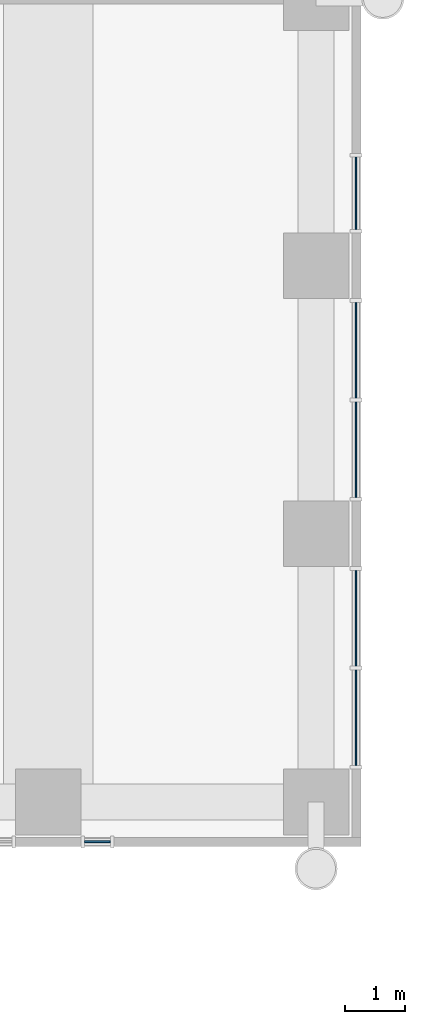
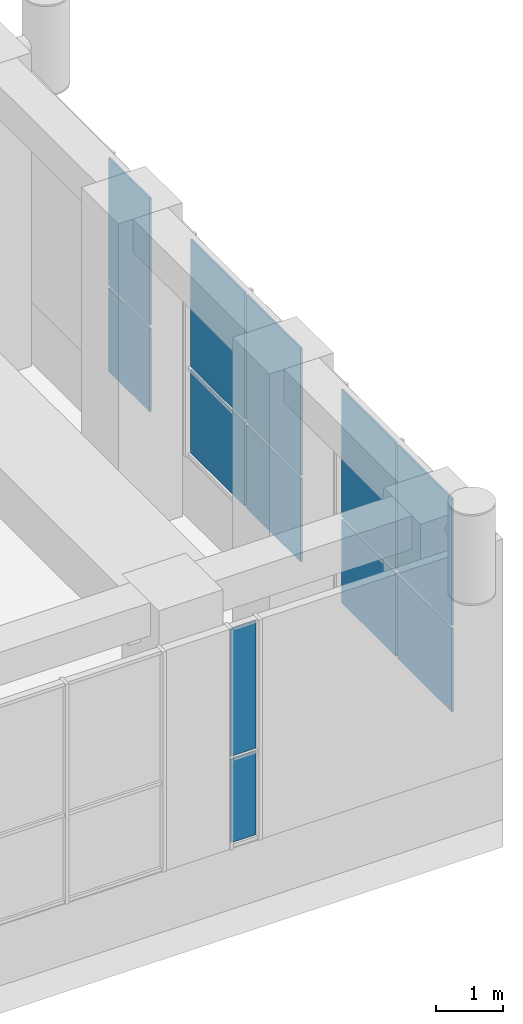
# One storey, part 12 of 22: 12 plates, 4 elements without a shape of their own.
"""IFC4 building model written with IfcOpenShell, lengths in metres."""

from ifc_helpers import new_model, si_unit, direction, frame, origin, origin_2d, place, context, subcontext, project, spatial, rectangle, extrude, material, layer, layer_set, type_object, element, aggregate, save


model = new_model("IFC4")

# Units and contexts
model_context = context("Model", 3, precision=1e-05, world=origin(), true_north=direction((0.0, 1.0)))
body_context = subcontext(model_context, "Body", "Model", "MODEL_VIEW")
ifc_project = project(units=[si_unit("LENGTHUNIT", "METRE"), si_unit("AREAUNIT", "SQUARE_METRE"), si_unit("VOLUMEUNIT", "CUBIC_METRE"), si_unit("PLANEANGLEUNIT", "RADIAN"), si_unit("MASSUNIT", "GRAM", prefix="KILO")], contexts=[model_context])

# Site, building, storey
site_placement = place(None, origin())
site = spatial("IfcSite", under=ifc_project, at=site_placement, CompositionType="ELEMENT")
building_placement = place(site_placement, origin())
building = spatial("IfcBuilding", under=site, at=building_placement, Name="Firuza Court", CompositionType="ELEMENT")
storey_placement = place(building_placement, frame((0.0, 0.0, 113.60009765625)))
storey = spatial("IfcBuildingStorey", under=building, at=storey_placement, Name="L28", CompositionType="ELEMENT", Elevation=113.60009765625)

# Curtain wall, plates
ifc_material_1 = material(Name="Aluminium curtain wall, triple clear glazing", Category="aluminium")
curtain_wall_type = type_object("IfcCurtainWallType", Name="Sky floor unitised curtain wall CW3", PredefinedType="NOTDEFINED", material=ifc_material_1)
curtain_wall_1_placement = place(storey_placement, origin())
curtain_wall_1 = element("IfcCurtainWall", 1, at=curtain_wall_1_placement, inside=storey, type_object=curtain_wall_type, Name="Sky floor unitised curtain wall CW3 L28", PredefinedType="NOTDEFINED")
ifc_material_2 = material(Name="Triple clear glazing", Category="glass")
ifc_layer = layer(ifc_material_2, 0.031982421875)
ifc_layer_set = layer_set([ifc_layer], Name="Triple clear glazing")
plate_type = type_object("IfcPlateType", Name="Glazed panel 32 CW3", PredefinedType="CURTAIN_PANEL", material=ifc_layer_set)
plate_1_placement = place(storey_placement, frame((63.82763671875, 35.330078125, 1.15966796875), z_axis=(0.0, 0.0, 1.0), x_axis=(1.0, 0.0, 0.0)))
plate_1 = element("IfcPlate", 2, at=plate_1_placement, type_object=plate_type, Name="CW3 panel 1.1", PredefinedType="CURTAIN_PANEL", context=body_context, shape_type="SweptSolid", body=[
    extrude(rectangle(XDim=0.435302734375, YDim=0.031982421875, at=origin_2d()), origin(), (0.0, 0.0, 1.0), 1.510009765625),
])
plate_2_placement = place(storey_placement, frame((63.82763671875, 35.330078125, 2.72998046875), z_axis=(0.0, 0.0, 1.0), x_axis=(1.0, 0.0, 0.0)))
plate_2 = element("IfcPlate", 3, at=plate_2_placement, type_object=plate_type, Name="CW3 panel 1.2", PredefinedType="CURTAIN_PANEL", context=body_context, shape_type="SweptSolid", body=[
    extrude(rectangle(XDim=0.435302734375, YDim=0.031982421875, at=origin_2d()), origin(), (0.0, 0.0, 1.0), 2.31005859375),
])
aggregate(curtain_wall_1, [plate_1, plate_2])

curtain_wall_2_placement = place(storey_placement, origin())
curtain_wall_2 = element("IfcCurtainWall", 4, at=curtain_wall_2_placement, inside=storey, type_object=curtain_wall_type, Name="Sky floor unitised curtain wall CW3 L28", PredefinedType="NOTDEFINED")
plate_3_placement = place(storey_placement, frame((68.169921875, 37.4150390625, 1.15966796875), z_axis=(0.0, 0.0, 1.0), x_axis=(0.0, 1.0, 0.0)))
plate_3 = element("IfcPlate", 5, at=plate_3_placement, type_object=plate_type, Name="CW3 panel 1.1", PredefinedType="CURTAIN_PANEL", context=body_context, shape_type="SweptSolid", body=[
    extrude(rectangle(XDim=1.610107421875, YDim=0.031982421875, at=origin_2d()), origin(), (0.0, 0.0, 1.0), 1.510009765625),
])
plate_4_placement = place(storey_placement, frame((68.169921875, 37.4150390625, 2.72998046875), z_axis=(0.0, 0.0, 1.0), x_axis=(0.0, 1.0, 0.0)))
plate_4 = element("IfcPlate", 6, at=plate_4_placement, type_object=plate_type, Name="CW3 panel 1.2", PredefinedType="CURTAIN_PANEL", context=body_context, shape_type="SweptSolid", body=[
    extrude(rectangle(XDim=1.610107421875, YDim=0.031982421875, at=origin_2d()), origin(), (0.0, 0.0, 1.0), 2.31005859375),
])
plate_5_placement = place(storey_placement, frame((68.169921875, 39.0849609375, 1.15966796875), z_axis=(0.0, 0.0, 1.0), x_axis=(0.0, 1.0, 0.0)))
plate_5 = element("IfcPlate", 7, at=plate_5_placement, type_object=plate_type, Name="CW3 panel 2.1", PredefinedType="CURTAIN_PANEL", context=body_context, shape_type="SweptSolid", body=[
    extrude(rectangle(XDim=1.610107421875, YDim=0.031982421875, at=origin_2d()), origin(), (0.0, 0.0, 1.0), 1.510009765625),
])
plate_6_placement = place(storey_placement, frame((68.169921875, 39.0849609375, 2.72998046875), z_axis=(0.0, 0.0, 1.0), x_axis=(0.0, 1.0, 0.0)))
plate_6 = element("IfcPlate", 8, at=plate_6_placement, type_object=plate_type, Name="CW3 panel 2.2", PredefinedType="CURTAIN_PANEL", context=body_context, shape_type="SweptSolid", body=[
    extrude(rectangle(XDim=1.610107421875, YDim=0.031982421875, at=origin_2d()), origin(), (0.0, 0.0, 1.0), 2.31005859375),
])
aggregate(curtain_wall_2, [plate_3, plate_4, plate_5, plate_6])

curtain_wall_3_placement = place(storey_placement, origin())
curtain_wall_3 = element("IfcCurtainWall", 9, at=curtain_wall_3_placement, inside=storey, type_object=curtain_wall_type, Name="Sky floor unitised curtain wall CW3 L28", PredefinedType="NOTDEFINED")
plate_7_placement = place(storey_placement, frame((68.169921875, 41.9150390625, 1.15966796875), z_axis=(0.0, 0.0, 1.0), x_axis=(0.0, 1.0, 0.0)))
plate_7 = element("IfcPlate", 10, at=plate_7_placement, type_object=plate_type, Name="CW3 panel 1.1", PredefinedType="CURTAIN_PANEL", context=body_context, shape_type="SweptSolid", body=[
    extrude(rectangle(XDim=1.610107421875, YDim=0.031982421875, at=origin_2d()), origin(), (0.0, 0.0, 1.0), 1.510009765625),
])
plate_8_placement = place(storey_placement, frame((68.169921875, 41.9150390625, 2.72998046875), z_axis=(0.0, 0.0, 1.0), x_axis=(0.0, 1.0, 0.0)))
plate_8 = element("IfcPlate", 11, at=plate_8_placement, type_object=plate_type, Name="CW3 panel 1.2", PredefinedType="CURTAIN_PANEL", context=body_context, shape_type="SweptSolid", body=[
    extrude(rectangle(XDim=1.610107421875, YDim=0.031982421875, at=origin_2d()), origin(), (0.0, 0.0, 1.0), 2.31005859375),
])
plate_9_placement = place(storey_placement, frame((68.169921875, 43.5849609375, 1.15966796875), z_axis=(0.0, 0.0, 1.0), x_axis=(0.0, 1.0, 0.0)))
plate_9 = element("IfcPlate", 12, at=plate_9_placement, type_object=plate_type, Name="CW3 panel 2.1", PredefinedType="CURTAIN_PANEL", context=body_context, shape_type="SweptSolid", body=[
    extrude(rectangle(XDim=1.610107421875, YDim=0.031982421875, at=origin_2d()), origin(), (0.0, 0.0, 1.0), 1.510009765625),
])
plate_10_placement = place(storey_placement, frame((68.169921875, 43.5849609375, 2.72998046875), z_axis=(0.0, 0.0, 1.0), x_axis=(0.0, 1.0, 0.0)))
plate_10 = element("IfcPlate", 13, at=plate_10_placement, type_object=plate_type, Name="CW3 panel 2.2", PredefinedType="CURTAIN_PANEL", context=body_context, shape_type="SweptSolid", body=[
    extrude(rectangle(XDim=1.610107421875, YDim=0.031982421875, at=origin_2d()), origin(), (0.0, 0.0, 1.0), 2.31005859375),
])
aggregate(curtain_wall_3, [plate_7, plate_8, plate_9, plate_10])

curtain_wall_4_placement = place(storey_placement, origin())
curtain_wall_4 = element("IfcCurtainWall", 14, at=curtain_wall_4_placement, inside=storey, type_object=curtain_wall_type, Name="Sky floor unitised curtain wall CW3 L28", PredefinedType="NOTDEFINED")
plate_11_placement = place(storey_placement, frame((68.169921875, 46.218505859375, 1.15966796875), z_axis=(0.0, 0.0, 1.0), x_axis=(0.0, 1.0, 0.0)))
plate_11 = element("IfcPlate", 15, at=plate_11_placement, type_object=plate_type, Name="CW3 panel 1.1", PredefinedType="CURTAIN_PANEL", context=body_context, shape_type="SweptSolid", body=[
    extrude(rectangle(XDim=1.21728515625, YDim=0.031982421875, at=origin_2d()), origin(), (0.0, 0.0, 1.0), 1.510009765625),
])
plate_12_placement = place(storey_placement, frame((68.169921875, 46.218505859375, 2.72998046875), z_axis=(0.0, 0.0, 1.0), x_axis=(0.0, 1.0, 0.0)))
plate_12 = element("IfcPlate", 16, at=plate_12_placement, type_object=plate_type, Name="CW3 panel 1.2", PredefinedType="CURTAIN_PANEL", context=body_context, shape_type="SweptSolid", body=[
    extrude(rectangle(XDim=1.21728515625, YDim=0.031982421875, at=origin_2d()), origin(), (0.0, 0.0, 1.0), 2.31005859375),
])
aggregate(curtain_wall_4, [plate_11, plate_12])

save(model, "model.ifc")
